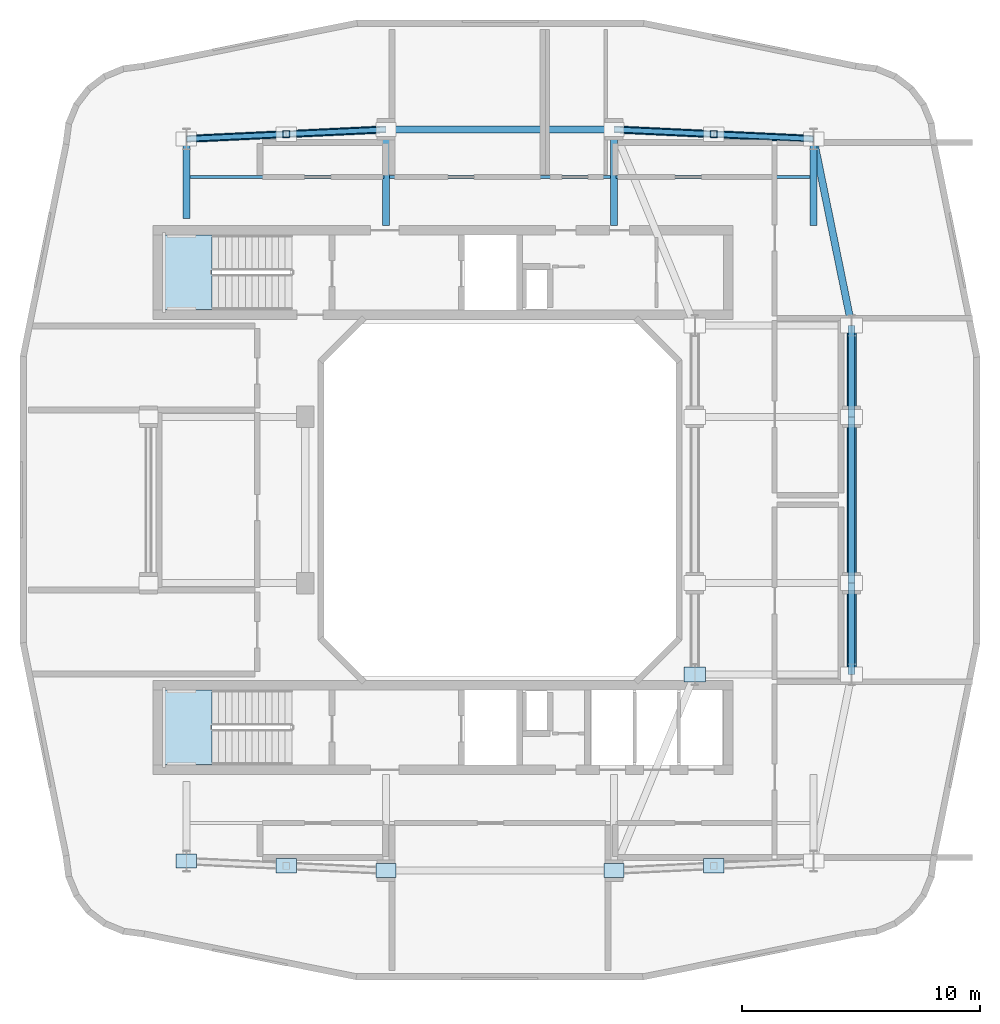
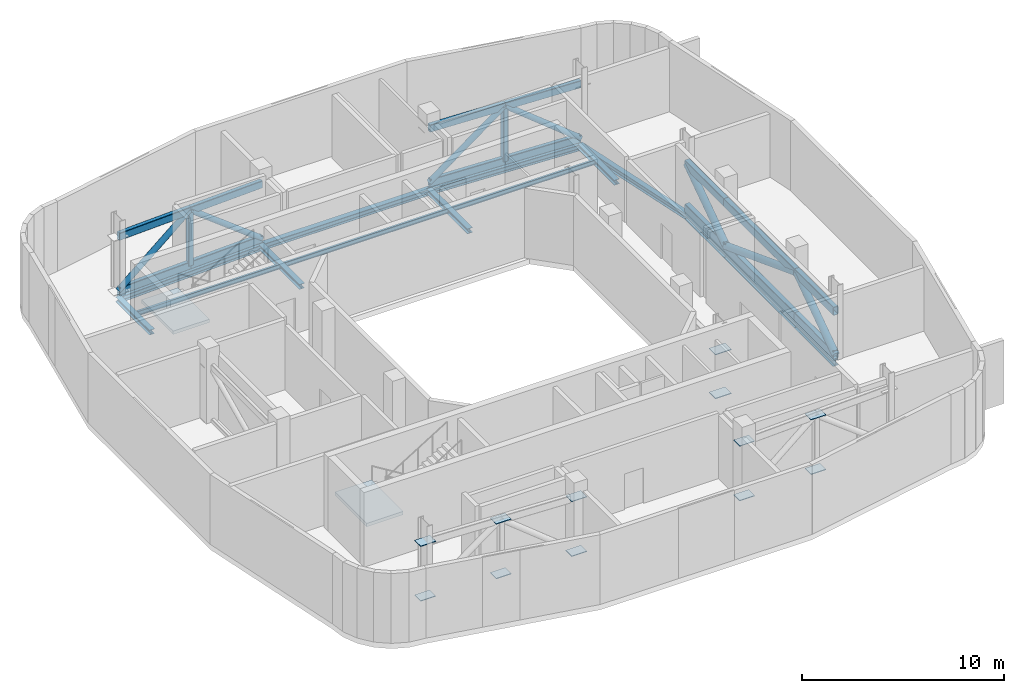
# One storey, part 2 of 9: 23 members, 14 beams, 12 plates, 2 slabs, 2 elements without a shape of their own.
"""IFC4 building model written with IfcOpenShell, lengths in metres."""

from ifc_helpers import new_model, si_unit, derived_unit, direction, frame, origin, origin_2d, place, context, subcontext, project, spatial, polyline, rectangle, hollow_rectangle, hollow_circle, i_section, outline, extrude, material, layer, layer_set, material_profile, profile_set, type_object, element, aggregate, save


model = new_model("IFC4")

# Units and contexts
model_context = context("Model", 3, precision=1e-05, world=origin(), true_north=direction((0.0, 1.0)))
body_context = subcontext(model_context, "Body", "Model", "MODEL_VIEW")
ifc_project = project(units=[si_unit("LENGTHUNIT", "METRE"), si_unit("AREAUNIT", "SQUARE_METRE"), si_unit("VOLUMEUNIT", "CUBIC_METRE"), si_unit("PLANEANGLEUNIT", "RADIAN"), si_unit("MASSUNIT", "GRAM", prefix="KILO"), derived_unit("THERMALTRANSMITTANCEUNIT", [(si_unit("POWERUNIT", "WATT"), 1), (si_unit("LENGTHUNIT", "METRE"), -2), (si_unit("THERMODYNAMICTEMPERATUREUNIT", "KELVIN"), -1)])], contexts=[model_context])

# Site, building, storey
site_placement = place(None, origin())
site = spatial("IfcSite", under=ifc_project, at=site_placement, CompositionType="ELEMENT")
building_placement = place(site_placement, origin())
building = spatial("IfcBuilding", under=site, at=building_placement, Name="Kivonza Crest Hotel", CompositionType="ELEMENT")
storey_placement = place(building_placement, frame((0.0, 0.0, 173.0)))
storey = spatial("IfcBuildingStorey", under=building, at=storey_placement, Name="L47", CompositionType="ELEMENT", Elevation=173.0)

# Beams
ifc_material_1 = material(Name="Steel S355", Category="steel")
ifc_material_profile_1 = material_profile(ifc_material_1, i_section(OverallWidth=0.300048828125, OverallDepth=0.300048828125, WebThickness=0.010986328125, FlangeThickness=0.01904296875, FilletRadius=0.027099609375, at=origin_2d()), Name="HEB 300")
ifc_profile_set_1 = profile_set([ifc_material_profile_1], Name="Steel S355")
beam_type_1 = type_object("IfcBeamType", Name="BM-HEB300", PredefinedType="BEAM", material=ifc_profile_set_1)
beam_1_placement = place(storey_placement, frame((7.800048828125, 40.199951171875, -0.469970703125), z_axis=(0.0, -1.0, 0.0), x_axis=(1.0, 0.0, 0.0)))
element("IfcBeam", 1, at=beam_1_placement, inside=storey, type_object=beam_type_1, Name="Tower T1 L47 radial core girder RNW", PredefinedType="BEAM", context=body_context, shape_type="SweptSolid", body=[
    extrude(i_section(OverallWidth=0.300048828125, OverallDepth=0.300048828125, WebThickness=0.010986328125, FlangeThickness=0.01904296875, FilletRadius=0.027099609375, at=origin_2d()), origin(), (0.0, 0.0, 1.0), 3.349853515625),
])
for number, where, z_axis, x_axis, name in (
    (2, (16.199951171875, 40.60009765625, -0.469970703125), (0.0, -1.0, 0.0), (1.0, 0.0, 0.0), "Tower T1 L47 radial core girder RN1"),
    (3, (25.800048828125, 40.60009765625, -0.469970703125), (0.0, -1.0, 0.0), (1.0, 0.0, 0.0), "Tower T1 L47 radial core girder RN2"),
):
    element("IfcBeam", number, at=place(storey_placement, frame(where, z_axis=z_axis, x_axis=x_axis)), inside=storey, type_object=beam_type_1, Name=name, PredefinedType="BEAM", context=body_context, shape_type="SweptSolid", body=[
        extrude(i_section(OverallWidth=0.300048828125, OverallDepth=0.300048828125, WebThickness=0.010986328125, FlangeThickness=0.01904296875, FilletRadius=0.027099609375, at=origin_2d()), origin(), (0.0, 0.0, 1.0), 4.050048828125),
    ])
beam_2_placement = place(storey_placement, frame((34.199951171875, 40.199951171875, -0.469970703125), z_axis=(0.0, -1.0, 0.0), x_axis=(1.0, 0.0, 0.0)))
element("IfcBeam", 4, at=beam_2_placement, inside=storey, type_object=beam_type_1, Name="Tower T1 L47 radial core girder RNE", PredefinedType="BEAM", context=body_context, shape_type="SweptSolid", body=[
    extrude(i_section(OverallWidth=0.300048828125, OverallDepth=0.300048828125, WebThickness=0.010986328125, FlangeThickness=0.01904296875, FilletRadius=0.027099609375, at=origin_2d()), origin(), (0.0, 0.0, 1.0), 3.64990234375),
])
ifc_material_profile_2 = material_profile(ifc_material_1, i_section(OverallWidth=0.300048828125, OverallDepth=0.360107421875, WebThickness=0.012451171875, FlangeThickness=0.0224609375, FilletRadius=0.027099609375, at=origin_2d()), Name="HEB 360")
ifc_profile_set_2 = profile_set([ifc_material_profile_2], Name="Steel S355")
beam_type_2 = type_object("IfcBeamType", Name="BM-HEB360", PredefinedType="SPANDREL", material=ifc_profile_set_2)
beam_3_placement = place(storey_placement, frame((35.800048828125, 17.64990234375, -0.5), z_axis=(0.0, 1.0, 0.0), x_axis=(-1.0, 0.0, 0.0)))
element("IfcBeam", 5, at=beam_3_placement, inside=storey, type_object=beam_type_2, Name="Tower T1 L47 perimeter spandrel PSE-E1", PredefinedType="SPANDREL", context=body_context, shape_type="SweptSolid", body=[
    extrude(i_section(OverallWidth=0.300048828125, OverallDepth=0.360107421875, WebThickness=0.012451171875, FlangeThickness=0.0224609375, FilletRadius=0.027099609375, at=origin_2d()), origin(), (0.0, 0.0, 1.0), 3.85009765625),
])
beam_4_placement = place(storey_placement, frame((35.800048828125, 21.5, -0.5), z_axis=(0.0, 1.0, 0.0), x_axis=(-1.0, 0.0, 0.0)))
element("IfcBeam", 6, at=beam_4_placement, inside=storey, type_object=beam_type_2, Name="Tower T1 L47 perimeter spandrel E1-E2", PredefinedType="SPANDREL", context=body_context, shape_type="SweptSolid", body=[
    extrude(i_section(OverallWidth=0.300048828125, OverallDepth=0.360107421875, WebThickness=0.012451171875, FlangeThickness=0.0224609375, FilletRadius=0.027099609375, at=origin_2d()), origin(), (0.0, 0.0, 1.0), 7.0),
])
beam_5_placement = place(storey_placement, frame((35.800048828125, 28.5, -0.5), z_axis=(0.0, 1.0, 0.0), x_axis=(-1.0, 0.0, 0.0)))
element("IfcBeam", 7, at=beam_5_placement, inside=storey, type_object=beam_type_2, Name="Tower T1 L47 perimeter spandrel E2-PNE", PredefinedType="SPANDREL", context=body_context, shape_type="SweptSolid", body=[
    extrude(i_section(OverallWidth=0.300048828125, OverallDepth=0.360107421875, WebThickness=0.012451171875, FlangeThickness=0.0224609375, FilletRadius=0.027099609375, at=origin_2d()), origin(), (0.0, 0.0, 1.0), 3.85009765625),
])
beam_6_placement = place(storey_placement, frame((35.800048828125, 32.35009765625, -0.5), z_axis=(-0.199730733965, 0.979850822273, 0.0), x_axis=(-0.979850822273, -0.199730733965, 0.0)))
element("IfcBeam", 8, at=beam_6_placement, inside=storey, type_object=beam_type_2, Name="Tower T1 L47 perimeter spandrel PNE-NE", PredefinedType="SPANDREL", context=body_context, shape_type="SweptSolid", body=[
    extrude(i_section(OverallWidth=0.300048828125, OverallDepth=0.360107421875, WebThickness=0.012451171875, FlangeThickness=0.0224609375, FilletRadius=0.027099609375, at=origin_2d()), origin(), (0.0, 0.0, 1.0), 8.01123046875),
])
beam_7_placement = place(storey_placement, frame((34.199951171875, 40.199951171875, -0.5), z_axis=(-0.998867283688, 0.047583080799, 0.0), x_axis=(-0.047583080799, -0.998867283688, 0.0)))
element("IfcBeam", 9, at=beam_7_placement, inside=storey, type_object=beam_type_2, Name="Tower T1 L47 perimeter spandrel NE-N2", PredefinedType="SPANDREL", context=body_context, shape_type="SweptSolid", body=[
    extrude(i_section(OverallWidth=0.300048828125, OverallDepth=0.360107421875, WebThickness=0.012451171875, FlangeThickness=0.0224609375, FilletRadius=0.027099609375, at=origin_2d()), origin(), (0.0, 0.0, 1.0), 8.409423828125),
])
beam_8_placement = place(storey_placement, frame((25.800048828125, 40.60009765625, -0.5), z_axis=(-1.0, 0.0, 0.0), x_axis=(0.0, -1.0, 0.0)))
element("IfcBeam", 10, at=beam_8_placement, inside=storey, type_object=beam_type_2, Name="Tower T1 L47 perimeter spandrel N2-N1", PredefinedType="SPANDREL", context=body_context, shape_type="SweptSolid", body=[
    extrude(i_section(OverallWidth=0.300048828125, OverallDepth=0.360107421875, WebThickness=0.012451171875, FlangeThickness=0.0224609375, FilletRadius=0.027099609375, at=origin_2d()), origin(), (0.0, 0.0, 1.0), 9.60009765625),
])
beam_9_placement = place(storey_placement, frame((16.199951171875, 40.60009765625, -0.5), z_axis=(-0.998867283688, -0.047583080799, 0.0), x_axis=(0.047583080799, -0.998867283688, 0.0)))
element("IfcBeam", 11, at=beam_9_placement, inside=storey, type_object=beam_type_2, Name="Tower T1 L47 perimeter spandrel N1-NW", PredefinedType="SPANDREL", context=body_context, shape_type="SweptSolid", body=[
    extrude(i_section(OverallWidth=0.300048828125, OverallDepth=0.360107421875, WebThickness=0.012451171875, FlangeThickness=0.0224609375, FilletRadius=0.027099609375, at=origin_2d()), origin(), (0.0, 0.0, 1.0), 8.409423828125),
])
ifc_material_profile_3 = material_profile(ifc_material_1, i_section(OverallWidth=0.135009765625, OverallDepth=0.27001953125, WebThickness=0.006591796875, FlangeThickness=0.01025390625, FilletRadius=0.014892578125, at=origin_2d()), Name="IPE 270")
ifc_profile_set_3 = profile_set([ifc_material_profile_3], Name="Steel S355")
beam_type_3 = type_object("IfcBeamType", Name="BM-IPE270", PredefinedType="JOIST", material=ifc_profile_set_3)
beam_10_placement = place(storey_placement, frame((7.8798828125, 38.60009765625, -0.455078125), z_axis=(1.0, 0.0, 0.0), x_axis=(0.0, 1.0, 0.0)))
element("IfcBeam", 12, at=beam_10_placement, inside=storey, type_object=beam_type_3, Name="Tower T1 L47 North-West floor joist", PredefinedType="JOIST", context=body_context, shape_type="SweptSolid", body=[
    extrude(i_section(OverallWidth=0.135009765625, OverallDepth=0.27001953125, WebThickness=0.006591796875, FlangeThickness=0.01025390625, FilletRadius=0.014892578125, at=origin_2d()), origin(), (0.0, 0.0, 1.0), 8.240234375),
])
beam_11_placement = place(storey_placement, frame((16.280029296875, 38.60009765625, -0.455078125), z_axis=(1.0, 0.0, 0.0), x_axis=(0.0, 1.0, 0.0)))
element("IfcBeam", 13, at=beam_11_placement, inside=storey, type_object=beam_type_3, Name="Tower T1 L47 North-Mid floor joist", PredefinedType="JOIST", context=body_context, shape_type="SweptSolid", body=[
    extrude(i_section(OverallWidth=0.135009765625, OverallDepth=0.27001953125, WebThickness=0.006591796875, FlangeThickness=0.01025390625, FilletRadius=0.014892578125, at=origin_2d()), origin(), (0.0, 0.0, 1.0), 9.43994140625),
])
beam_12_placement = place(storey_placement, frame((25.8798828125, 38.60009765625, -0.455078125), z_axis=(1.0, 0.0, 0.0), x_axis=(0.0, 1.0, 0.0)))
element("IfcBeam", 14, at=beam_12_placement, inside=storey, type_object=beam_type_3, Name="Tower T1 L47 North-East floor joist", PredefinedType="JOIST", context=body_context, shape_type="SweptSolid", body=[
    extrude(i_section(OverallWidth=0.135009765625, OverallDepth=0.27001953125, WebThickness=0.006591796875, FlangeThickness=0.01025390625, FilletRadius=0.014892578125, at=origin_2d()), origin(), (0.0, 0.0, 1.0), 8.240234375),
])

# Members
ifc_material_profile_4 = material_profile(ifc_material_1, hollow_circle(Radius=0.161865234375, WallThickness=0.01611328125, at=origin_2d()), Name="CHS 323.9x16")
ifc_profile_set_4 = profile_set([ifc_material_profile_4], Name="Steel S355")
member_type_1 = type_object("IfcMemberType", Name="MB-BRACE-CHS324", PredefinedType="BRACE", material=ifc_profile_set_4)
for number, where, z_axis, x_axis, name in (
    (15, (16.199951171875, 40.60009765625, 0.0), (-0.785758694228, -0.037454056227, 0.617398143921), (0.047612046782, -0.998865903413, 0.0), "Outrigger truss L47 NW diagonal brace 1"),
    (16, (12.0, 40.39990234375, 3.300048828125), (-0.78576003764, -0.037408444505, -0.617399199487), (0.047554114695, -0.998868663126, 0.0), "Outrigger truss L47 NW diagonal brace 2"),
    (17, (25.800048828125, 40.60009765625, 0.0), (0.785758694228, -0.037454056227, 0.617398143921), (0.047612046782, 0.998865903413, 0.0), "Outrigger truss L47 NE diagonal brace 1"),
    (18, (30.0, 40.39990234375, 3.300048828125), (0.78576003764, -0.037408444505, -0.617399199487), (0.047554114695, 0.998868663126, 0.0), "Outrigger truss L47 NE diagonal brace 2"),
):
    element("IfcMember", number, at=place(storey_placement, frame(where, z_axis=z_axis, x_axis=x_axis)), inside=storey, type_object=member_type_1, Name=name, PredefinedType="BRACE", context=body_context, shape_type="SweptSolid", body=[
        extrude(hollow_circle(Radius=0.161865234375, WallThickness=0.01611328125, at=origin_2d()), origin(), (0.0, 0.0, 1.0), 5.344970703125),
    ])
ifc_material_profile_5 = material_profile(ifc_material_1, hollow_circle(Radius=0.203125, WallThickness=0.02001953125, at=origin_2d()), Name="CHS 406.4x20")
ifc_profile_set_5 = profile_set([ifc_material_profile_5], Name="Steel S355")
member_type_2 = type_object("IfcMemberType", Name="MB-BRACE-CHS406", PredefinedType="BRACE", material=ifc_profile_set_5)
member_1_placement = place(storey_placement, frame((35.800048828125, 17.64990234375, 0.0), z_axis=(0.0, 0.823746136864, 0.566958818612), x_axis=(-1.0, 0.0, 0.0)))
element("IfcMember", 19, at=member_1_placement, inside=storey, type_object=member_type_2, Name="Transfer truss L47 portal sill OUT diagonal brace 1", PredefinedType="BRACE", context=body_context, shape_type="SweptSolid", body=[
    extrude(hollow_circle(Radius=0.203125, WallThickness=0.02001953125, at=origin_2d()), origin(), (0.0, 0.0, 1.0), 4.673828125),
])
member_2_placement = place(storey_placement, frame((35.800048828125, 21.5, 2.64990234375), z_axis=(0.0, 0.935230805355, -0.354038614723), x_axis=(-1.0, 0.0, 0.0)))
element("IfcMember", 20, at=member_2_placement, inside=storey, type_object=member_type_2, Name="Transfer truss L47 portal sill OUT diagonal brace 2", PredefinedType="BRACE", context=body_context, shape_type="SweptSolid", body=[
    extrude(hollow_circle(Radius=0.203125, WallThickness=0.02001953125, at=origin_2d()), origin(), (0.0, 0.0, 1.0), 7.48486328125),
])
member_3_placement = place(storey_placement, frame((35.800048828125, 28.5, 0.0), z_axis=(0.0, 0.823746136864, 0.566958818612), x_axis=(-1.0, 0.0, 0.0)))
element("IfcMember", 21, at=member_3_placement, inside=storey, type_object=member_type_2, Name="Transfer truss L47 portal sill OUT diagonal brace 3", PredefinedType="BRACE", context=body_context, shape_type="SweptSolid", body=[
    extrude(hollow_circle(Radius=0.203125, WallThickness=0.02001953125, at=origin_2d()), origin(), (0.0, 0.0, 1.0), 4.673828125),
])
ifc_material_profile_6 = material_profile(ifc_material_1, hollow_rectangle(XDim=0.25, YDim=0.449951171875, WallThickness=0.01611328125, InnerFilletRadius=0.02392578125, OuterFilletRadius=0.0400390625, at=origin_2d()), Name="RHS 450x250x16")
ifc_profile_set_6 = profile_set([ifc_material_profile_6], Name="Steel S355")
member_type_3 = type_object("IfcMemberType", Name="MB-CHORD-RHS450", PredefinedType="CHORD", material=ifc_profile_set_6)
for number, where, z_axis, x_axis, name in (
    (22, (16.199951171875, 40.60009765625, 0.0), (-0.998865903413, -0.047612046782, 0.0), (0.047612046782, -0.998865903413, 0.0), "Outrigger truss L47 NW bottom chord 1"),
    (23, (16.199951171875, 40.60009765625, 3.300048828125), (-0.998865903413, -0.047612046782, 0.0), (0.047612046782, -0.998865903413, 0.0), "Outrigger truss L47 NW top chord 1"),
):
    element("IfcMember", number, at=place(storey_placement, frame(where, z_axis=z_axis, x_axis=x_axis)), inside=storey, type_object=member_type_3, Name=name, PredefinedType="CHORD", context=body_context, shape_type="SweptSolid", body=[
        extrude(hollow_rectangle(XDim=0.25, YDim=0.449951171875, WallThickness=0.01611328125, InnerFilletRadius=0.02392578125, OuterFilletRadius=0.0400390625, at=origin_2d()), origin(), (0.0, 0.0, 1.0), 4.204833984375),
    ])
for number, where, z_axis, x_axis, name in (
    (24, (12.0, 40.39990234375, 0.0), (-0.998868663126, -0.047554114695, 0.0), (0.047554114695, -0.998868663126, 0.0), "Outrigger truss L47 NW bottom chord 2"),
    (25, (12.0, 40.39990234375, 3.300048828125), (-0.998868663126, -0.047554114695, 0.0), (0.047554114695, -0.998868663126, 0.0), "Outrigger truss L47 NW top chord 2"),
):
    element("IfcMember", number, at=place(storey_placement, frame(where, z_axis=z_axis, x_axis=x_axis)), inside=storey, type_object=member_type_3, Name=name, PredefinedType="CHORD", context=body_context, shape_type="SweptSolid", body=[
        extrude(hollow_rectangle(XDim=0.25, YDim=0.449951171875, WallThickness=0.01611328125, InnerFilletRadius=0.02392578125, OuterFilletRadius=0.0400390625, at=origin_2d()), origin(), (0.0, 0.0, 1.0), 4.20458984375),
    ])
for number, where, z_axis, x_axis, name in (
    (26, (25.800048828125, 40.60009765625, 0.0), (0.998865903413, -0.047612046782, 0.0), (0.047612046782, 0.998865903413, 0.0), "Outrigger truss L47 NE bottom chord 1"),
    (27, (25.800048828125, 40.60009765625, 3.300048828125), (0.998865903413, -0.047612046782, 0.0), (0.047612046782, 0.998865903413, 0.0), "Outrigger truss L47 NE top chord 1"),
):
    element("IfcMember", number, at=place(storey_placement, frame(where, z_axis=z_axis, x_axis=x_axis)), inside=storey, type_object=member_type_3, Name=name, PredefinedType="CHORD", context=body_context, shape_type="SweptSolid", body=[
        extrude(hollow_rectangle(XDim=0.25, YDim=0.449951171875, WallThickness=0.01611328125, InnerFilletRadius=0.02392578125, OuterFilletRadius=0.0400390625, at=origin_2d()), origin(), (0.0, 0.0, 1.0), 4.204833984375),
    ])
for number, where, z_axis, x_axis, name in (
    (28, (30.0, 40.39990234375, 0.0), (0.998868663126, -0.047554114695, 0.0), (0.047554114695, 0.998868663126, 0.0), "Outrigger truss L47 NE bottom chord 2"),
    (29, (30.0, 40.39990234375, 3.300048828125), (0.998868663126, -0.047554114695, 0.0), (0.047554114695, 0.998868663126, 0.0), "Outrigger truss L47 NE top chord 2"),
):
    element("IfcMember", number, at=place(storey_placement, frame(where, z_axis=z_axis, x_axis=x_axis)), inside=storey, type_object=member_type_3, Name=name, PredefinedType="CHORD", context=body_context, shape_type="SweptSolid", body=[
        extrude(hollow_rectangle(XDim=0.25, YDim=0.449951171875, WallThickness=0.01611328125, InnerFilletRadius=0.02392578125, OuterFilletRadius=0.0400390625, at=origin_2d()), origin(), (0.0, 0.0, 1.0), 4.20458984375),
    ])
ifc_material_profile_7 = material_profile(ifc_material_1, hollow_rectangle(XDim=0.300048828125, YDim=0.5, WallThickness=0.02001953125, InnerFilletRadius=0.030029296875, OuterFilletRadius=0.050048828125, at=origin_2d()), Name="RHS 500x300x20")
ifc_profile_set_7 = profile_set([ifc_material_profile_7], Name="Steel S355")
member_type_4 = type_object("IfcMemberType", Name="MB-CHORD-RHS500", PredefinedType="CHORD", material=ifc_profile_set_7)
for number, where, z_axis, x_axis, name in (
    (30, (35.800048828125, 17.64990234375, 0.0), (0.0, 1.0, 0.0), (-1.0, 0.0, 0.0), "Transfer truss L47 portal sill OUT bottom chord 1"),
    (31, (35.800048828125, 17.64990234375, 2.64990234375), (0.0, 1.0, 0.0), (-1.0, 0.0, 0.0), "Transfer truss L47 portal sill OUT top chord 1"),
):
    element("IfcMember", number, at=place(storey_placement, frame(where, z_axis=z_axis, x_axis=x_axis)), inside=storey, type_object=member_type_4, Name=name, PredefinedType="CHORD", context=body_context, shape_type="SweptSolid", body=[
        extrude(hollow_rectangle(XDim=0.300048828125, YDim=0.5, WallThickness=0.02001953125, InnerFilletRadius=0.030029296875, OuterFilletRadius=0.050048828125, at=origin_2d()), origin(), (0.0, 0.0, 1.0), 3.85009765625),
    ])
for number, where, z_axis, x_axis, name in (
    (32, (35.800048828125, 21.5, 0.0), (0.0, 1.0, 0.0), (-1.0, 0.0, 0.0), "Transfer truss L47 portal sill OUT bottom chord 2"),
    (33, (35.800048828125, 21.5, 2.64990234375), (0.0, 1.0, 0.0), (-1.0, 0.0, 0.0), "Transfer truss L47 portal sill OUT top chord 2"),
):
    element("IfcMember", number, at=place(storey_placement, frame(where, z_axis=z_axis, x_axis=x_axis)), inside=storey, type_object=member_type_4, Name=name, PredefinedType="CHORD", context=body_context, shape_type="SweptSolid", body=[
        extrude(hollow_rectangle(XDim=0.300048828125, YDim=0.5, WallThickness=0.02001953125, InnerFilletRadius=0.030029296875, OuterFilletRadius=0.050048828125, at=origin_2d()), origin(), (0.0, 0.0, 1.0), 7.0),
    ])
for number, where, z_axis, x_axis, name in (
    (34, (35.800048828125, 28.5, 0.0), (0.0, 1.0, 0.0), (-1.0, 0.0, 0.0), "Transfer truss L47 portal sill OUT bottom chord 3"),
    (35, (35.800048828125, 28.5, 2.64990234375), (0.0, 1.0, 0.0), (-1.0, 0.0, 0.0), "Transfer truss L47 portal sill OUT top chord 3"),
):
    element("IfcMember", number, at=place(storey_placement, frame(where, z_axis=z_axis, x_axis=x_axis)), inside=storey, type_object=member_type_4, Name=name, PredefinedType="CHORD", context=body_context, shape_type="SweptSolid", body=[
        extrude(hollow_rectangle(XDim=0.300048828125, YDim=0.5, WallThickness=0.02001953125, InnerFilletRadius=0.030029296875, OuterFilletRadius=0.050048828125, at=origin_2d()), origin(), (0.0, 0.0, 1.0), 3.85009765625),
    ])
ifc_material_profile_8 = material_profile(ifc_material_1, hollow_rectangle(XDim=0.300048828125, YDim=0.300048828125, WallThickness=0.01611328125, InnerFilletRadius=0.02392578125, OuterFilletRadius=0.0400390625, at=origin_2d()), Name="SHS 300x300x16")
ifc_profile_set_8 = profile_set([ifc_material_profile_8], Name="Steel S355")
member_type_5 = type_object("IfcMemberType", Name="MB-POST-SHS300", PredefinedType="POST", material=ifc_profile_set_8)
for number, where, z_axis, x_axis, name in (
    (36, (12.0, 40.39990234375, 0.0), (0.0, 0.0, 1.0), (1.0, 0.0, 0.0), "Outrigger truss L47 NW vertical post 2"),
    (37, (30.0, 40.39990234375, 0.0), (0.0, 0.0, 1.0), (1.0, 0.0, 0.0), "Outrigger truss L47 NE vertical post 2"),
):
    element("IfcMember", number, at=place(storey_placement, frame(where, z_axis=z_axis, x_axis=x_axis)), inside=storey, type_object=member_type_5, Name=name, PredefinedType="POST", context=body_context, shape_type="SweptSolid", body=[
        extrude(hollow_rectangle(XDim=0.300048828125, YDim=0.300048828125, WallThickness=0.01611328125, InnerFilletRadius=0.02392578125, OuterFilletRadius=0.0400390625, at=origin_2d()), origin(), (0.0, 0.0, 1.0), 3.300048828125),
    ])

# Plates
ifc_layer_1 = layer(ifc_material_1, 0.035888671875)
ifc_layer_set_1 = layer_set([ifc_layer_1], Name="Steel S355")
plate_type_1 = type_object("IfcPlateType", Name="PL-NODE-OT1", PredefinedType="SHEET", material=ifc_layer_set_1)
for number, where, z_axis, x_axis, name in (
    (38, (12.0, 9.60009765625, -0.01806640625), (0.0, 0.0, 1.0), (1.0, 0.0, 0.0), "ND-OT1 node gusset and end-cap plate L47 89"),
    (39, (12.0, 9.60009765625, 3.2822265625), (0.0, 0.0, 1.0), (1.0, 0.0, 0.0), "ND-OT1 node gusset and end-cap plate L47 90"),
    (40, (16.199951171875, 9.39990234375, -0.01806640625), (0.0, 0.0, 1.0), (1.0, 0.0, 0.0), "ND-OT1 node gusset and end-cap plate L47 91"),
    (41, (16.199951171875, 9.39990234375, 3.2822265625), (0.0, 0.0, 1.0), (1.0, 0.0, 0.0), "ND-OT1 node gusset and end-cap plate L47 92"),
    (42, (7.800048828125, 9.800048828125, -0.01806640625), (0.0, 0.0, 1.0), (1.0, 0.0, 0.0), "ND-OT1 node gusset and end-cap plate L47 93"),
    (43, (7.800048828125, 9.800048828125, 3.2822265625), (0.0, 0.0, 1.0), (1.0, 0.0, 0.0), "ND-OT1 node gusset and end-cap plate L47 94"),
    (44, (30.0, 9.60009765625, -0.01806640625), (0.0, 0.0, 1.0), (1.0, 0.0, 0.0), "ND-OT1 node gusset and end-cap plate L47 95"),
    (45, (30.0, 9.60009765625, 3.2822265625), (0.0, 0.0, 1.0), (1.0, 0.0, 0.0), "ND-OT1 node gusset and end-cap plate L47 96"),
    (46, (25.800048828125, 9.39990234375, -0.01806640625), (0.0, 0.0, 1.0), (1.0, 0.0, 0.0), "ND-OT1 node gusset and end-cap plate L47 97"),
    (47, (25.800048828125, 9.39990234375, 3.2822265625), (0.0, 0.0, 1.0), (1.0, 0.0, 0.0), "ND-OT1 node gusset and end-cap plate L47 98"),
):
    element("IfcPlate", number, at=place(storey_placement, frame(where, z_axis=z_axis, x_axis=x_axis)), inside=storey, type_object=plate_type_1, Name=name, PredefinedType="SHEET", context=body_context, shape_type="SweptSolid", body=[
        extrude(rectangle(XDim=0.860107421875, YDim=0.60009765625, at=origin_2d()), origin(), (0.0, 0.0, 1.0), 0.035888671875),
    ])
ifc_layer_2 = layer(ifc_material_1, 0.0380859375)
ifc_layer_set_2 = layer_set([ifc_layer_2], Name="Steel S355")
plate_type_2 = type_object("IfcPlateType", Name="PL-NODE-TR1", PredefinedType="SHEET", material=ifc_layer_set_2)
for number, where, z_axis, x_axis, name in (
    (48, (29.199951171875, 17.64990234375, -0.01904296875), (0.0, 0.0, 1.0), (1.0, 0.0, 0.0), "ND-TR1 node gusset and end-cap plate L47 17"),
    (49, (29.199951171875, 17.64990234375, 2.630859375), (0.0, 0.0, 1.0), (1.0, 0.0, 0.0), "ND-TR1 node gusset and end-cap plate L47 19"),
):
    element("IfcPlate", number, at=place(storey_placement, frame(where, z_axis=z_axis, x_axis=x_axis)), inside=storey, type_object=plate_type_2, Name=name, PredefinedType="SHEET", context=body_context, shape_type="SweptSolid", body=[
        extrude(rectangle(XDim=0.919921875, YDim=0.639892578125, at=origin_2d()), origin(), (0.0, 0.0, 1.0), 0.0380859375),
    ])

# Stair, slab
ifc_material_2 = material(Name="Concrete C40/50", Category="concrete")
stair_type = type_object("IfcStairType", Name="ST-DL-26R", PredefinedType="HALF_TURN_STAIR", material=ifc_material_2)
stair_1_placement = place(storey_placement, origin())
stair_1 = element("IfcStair", 50, at=stair_1_placement, inside=storey, type_object=stair_type, Name="L47 Protected Exit Stair ST-T1-N", PredefinedType="HALF_TURN_STAIR")
ifc_layer_3 = layer(ifc_material_2, 0.199951171875)
ifc_layer_set_3 = layer_set([ifc_layer_3], Name="Concrete C40/50")
slab_type = type_object("IfcSlabType", Name="SL-LAND-200", PredefinedType="LANDING", material=ifc_layer_set_3)
slab_1_placement = place(storey_placement, frame((0.0, 0.0, 2.050048828125)))
slab_1 = element("IfcSlab", 51, at=slab_1_placement, type_object=slab_type, Name="ST-T1-N landing 1", PredefinedType="LANDING", context=body_context, shape_type="SweptSolid", body=[
    extrude(outline(polyline([(8.8798828125, 36.159912109375), (6.800048828125, 36.159912109375), (6.800048828125, 33.02001953125), (8.8798828125, 33.02001953125), (8.8798828125, 36.159912109375)])), origin(), (0.0, 0.0, 1.0), 0.199951171875),
])
aggregate(stair_1, [slab_1])

stair_2_placement = place(storey_placement, origin())
stair_2 = element("IfcStair", 52, at=stair_2_placement, inside=storey, type_object=stair_type, Name="L47 Protected Exit Stair ST-T1-S", PredefinedType="HALF_TURN_STAIR")
slab_2_placement = place(storey_placement, frame((0.0, 0.0, 2.050048828125)))
slab_2 = element("IfcSlab", 53, at=slab_2_placement, type_object=slab_type, Name="ST-T1-S landing 1", PredefinedType="LANDING", context=body_context, shape_type="SweptSolid", body=[
    extrude(outline(polyline([(8.8798828125, 17.0), (6.800048828125, 17.0), (6.800048828125, 13.860107421875), (8.8798828125, 13.860107421875), (8.8798828125, 17.0)])), origin(), (0.0, 0.0, 1.0), 0.199951171875),
])
aggregate(stair_2, [slab_2])

save(model, "model.ifc")
